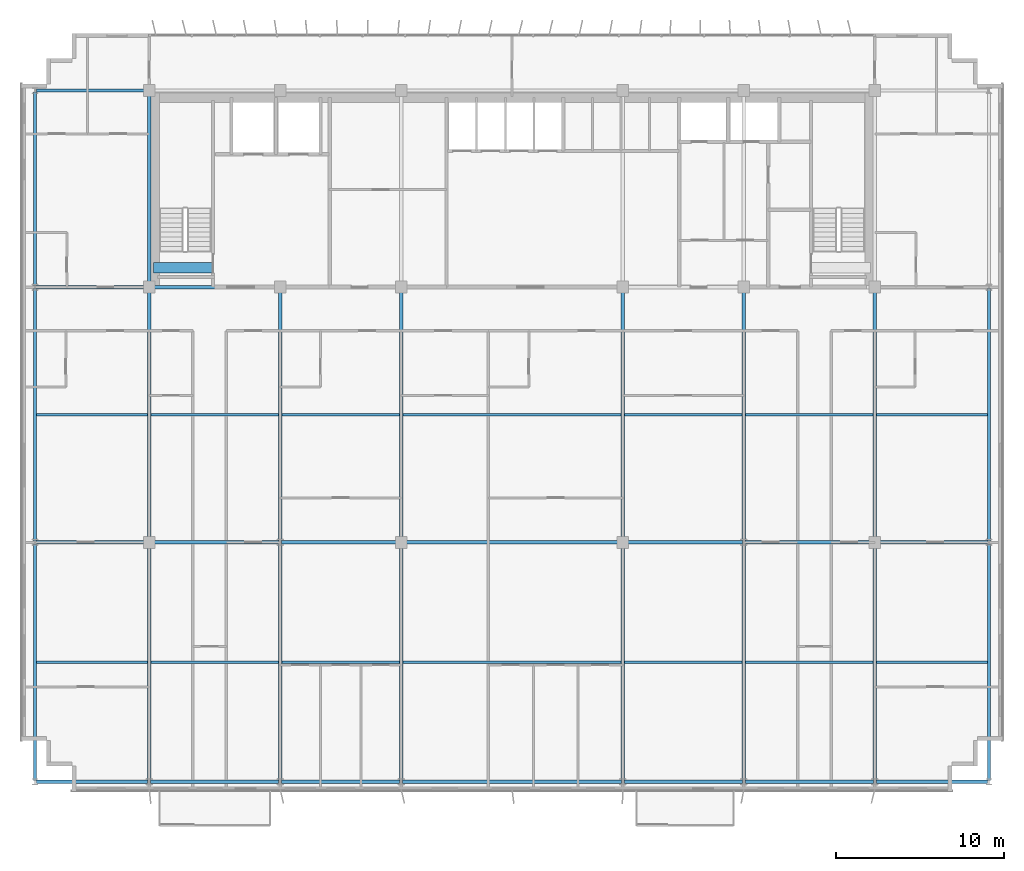
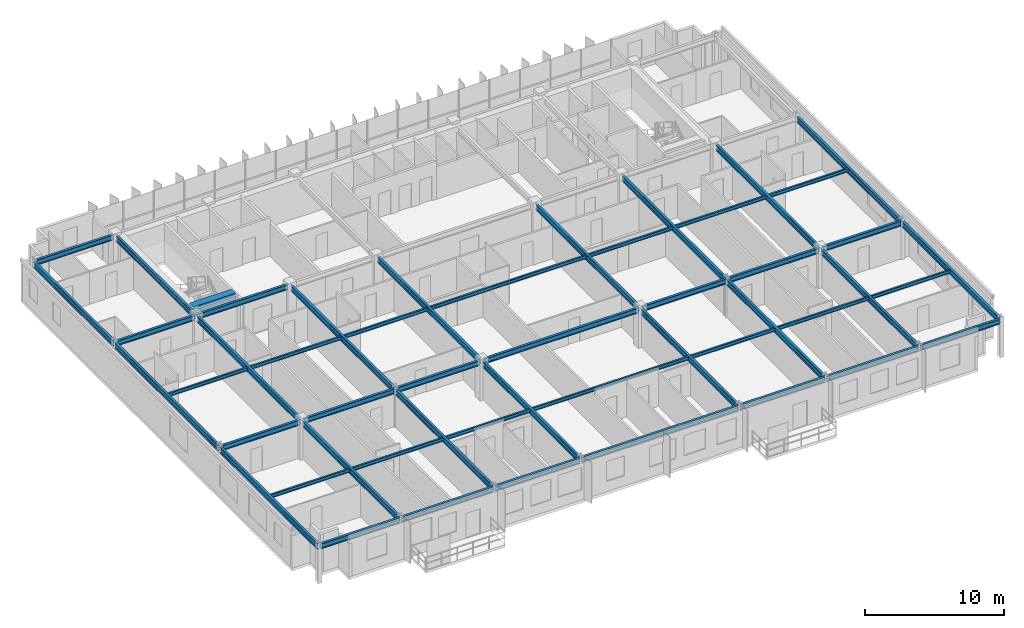
# One storey, part 5 of 23: 50 beams.
"""IFC4 building model written with IfcOpenShell, lengths in metres."""

from ifc_helpers import new_model, si_unit, direction, frame, origin, origin_2d, place, context, subcontext, project, spatial, rectangle, i_section, extrude, source, transform, mapped, material, material_profile, profile_set, type_object, element, save


model = new_model("IFC4")

# Units and contexts
model_context = context("Model", 3, precision=1e-05, world=origin(), true_north=direction((0.0, 1.0)))
body_context = subcontext(model_context, "Body", "Model", "MODEL_VIEW")
ifc_project = project(units=[si_unit("LENGTHUNIT", "METRE"), si_unit("AREAUNIT", "SQUARE_METRE"), si_unit("VOLUMEUNIT", "CUBIC_METRE"), si_unit("PLANEANGLEUNIT", "RADIAN"), si_unit("MASSUNIT", "GRAM", prefix="KILO")], contexts=[model_context])

# Site, building, storey
site_placement = place(None, origin())
site = spatial("IfcSite", under=ifc_project, at=site_placement, CompositionType="ELEMENT")
building_placement = place(site_placement, origin())
building = spatial("IfcBuilding", under=site, at=building_placement, Name="Trelvane Seafront Commons", CompositionType="ELEMENT")
storey_placement = place(building_placement, frame((0.0, 0.0, 208.5)))
storey = spatial("IfcBuildingStorey", under=building, at=storey_placement, Name="L54", CompositionType="ELEMENT", Elevation=208.5)

# Beams
ifc_material_1 = material(Name="Concrete C60/75", Category="concrete")
ifc_material_profile_1 = material_profile(ifc_material_1, rectangle(XDim=0.60009765625, YDim=0.89990234375, at=origin_2d()), Name="RC-600x900")
ifc_profile_set_1 = profile_set([ifc_material_profile_1], Name="Concrete C60/75")
beam_type_1 = type_object("IfcBeamType", Name="STR-LNT-RC600x900", PredefinedType="LINTEL", material=ifc_profile_set_1)
shared_shape_1 = source(origin(), body_context, "Body", "SweptSolid", [
    extrude(rectangle(XDim=0.60009765625, YDim=0.89990234375, at=origin_2d()), origin(), (0.0, 0.0, 1.0), 3.5498046875),
])
beam_1_placement = place(storey_placement, frame((15.85009765625, 34.550048828125, 2.909912109375), z_axis=(1.0, 0.0, 0.0), x_axis=(0.0, 1.0, 0.0)))
element("IfcBeam", 1, at=beam_1_placement, inside=storey, type_object=beam_type_1, Name="L54 Core Coupling Lintel Beam CB-67", PredefinedType="LINTEL", context=body_context, shape_type="MappedRepresentation", body=[
    mapped(shared_shape_1, transform((0.0, 0.0, 0.0), x_axis=(1.0, 0.0, 0.0), y_axis=(0.0, 1.0, 0.0), z_axis=(0.0, 0.0, 1.0), scale=1.0)),
])
ifc_material_2 = material(Name="Steel SM355 (S355)", Category="steel")
ifc_material_profile_2 = material_profile(ifc_material_2, i_section(OverallWidth=0.199951171875, OverallDepth=0.5, WebThickness=0.010009765625, FlangeThickness=0.01611328125, at=origin_2d()), Name="H-500x200x10x16")
ifc_profile_set_2 = profile_set([ifc_material_profile_2], Name="Steel SM355 (S355)")
beam_type_2 = type_object("IfcBeamType", Name="STR-BM-H500", PredefinedType="BEAM", material=ifc_profile_set_2)
shared_shape_2 = source(origin(), body_context, "Body", "SweptSolid", [
    extrude(i_section(OverallWidth=0.199951171875, OverallDepth=0.5, WebThickness=0.010009765625, FlangeThickness=0.01611328125, at=origin_2d()), origin(), (0.0, 0.0, 1.0), 14.89990234375),
])
for number, where, z_axis, x_axis, name in (
    (2, (15.60009765625, 18.35009765625, 3.110107421875), (0.0, 1.0, 0.0), (-1.0, 0.0, 0.0), "L54 Primary Girder G-33"),
    (3, (30.60009765625, 18.35009765625, 3.110107421875), (0.0, 1.0, 0.0), (-1.0, 0.0, 0.0), "L54 Primary Girder G-39"),
    (4, (43.800048828125, 18.35009765625, 3.110107421875), (0.0, 1.0, 0.0), (-1.0, 0.0, 0.0), "L54 Primary Girder G-42"),
    (5, (58.800048828125, 18.35009765625, 3.110107421875), (0.0, 1.0, 0.0), (-1.0, 0.0, 0.0), "L54 Primary Girder G-48"),
):
    element("IfcBeam", number, at=place(storey_placement, frame(where, z_axis=z_axis, x_axis=x_axis)), inside=storey, type_object=beam_type_2, Name=name, PredefinedType="BEAM", context=body_context, shape_type="MappedRepresentation", body=[
        mapped(shared_shape_2, transform((0.0, 0.0, 0.0), x_axis=(1.0, 0.0, 0.0), y_axis=(0.0, 1.0, 0.0), z_axis=(0.0, 0.0, 1.0), scale=1.0)),
    ])
shared_shape_3 = source(origin(), body_context, "Body", "SweptSolid", [
    extrude(i_section(OverallWidth=0.199951171875, OverallDepth=0.5, WebThickness=0.010009765625, FlangeThickness=0.01611328125, at=origin_2d()), origin(), (0.0, 0.0, 1.0), 11.39990234375),
])
beam_2_placement = place(storey_placement, frame((15.60009765625, 33.550048828125, 3.110107421875), z_axis=(0.0, 1.0, 0.0), x_axis=(-1.0, 0.0, 0.0)))
element("IfcBeam", 6, at=beam_2_placement, inside=storey, type_object=beam_type_2, Name="L54 Primary Girder G-34", PredefinedType="BEAM", context=body_context, shape_type="MappedRepresentation", body=[
    mapped(shared_shape_3, transform((0.0, 0.0, 0.0), x_axis=(1.0, 0.0, 0.0), y_axis=(0.0, 1.0, 0.0), z_axis=(0.0, 0.0, 1.0), scale=1.0)),
])
ifc_material_profile_3 = material_profile(ifc_material_2, i_section(OverallWidth=0.199951171875, OverallDepth=0.449951171875, WebThickness=0.009033203125, FlangeThickness=0.013916015625, at=origin_2d()), Name="H-450x200x9x14")
ifc_profile_set_3 = profile_set([ifc_material_profile_3], Name="Steel SM355 (S355)")
beam_type_3 = type_object("IfcBeamType", Name="STR-SPD-H450", PredefinedType="SPANDREL", material=ifc_profile_set_3)
shared_shape_4 = source(origin(), body_context, "Body", "SweptSolid", [
    extrude(i_section(OverallWidth=0.199951171875, OverallDepth=0.449951171875, WebThickness=0.009033203125, FlangeThickness=0.013916015625, at=origin_2d()), origin(), (0.0, 0.0, 1.0), 6.625),
])
for number, where, z_axis, x_axis, name in (
    (7, (8.887451171875, 3.949951171875, 3.135009765625), (1.0, 0.0, 0.0), (0.0, 1.0, 0.0), "L54 Primary Girder G-01"),
    (8, (58.887451171875, 3.949951171875, 3.135009765625), (1.0, 0.0, 0.0), (0.0, 1.0, 0.0), "L54 Primary Girder G-07"),
):
    element("IfcBeam", number, at=place(storey_placement, frame(where, z_axis=z_axis, x_axis=x_axis)), inside=storey, type_object=beam_type_3, Name=name, PredefinedType="SPANDREL", context=body_context, shape_type="MappedRepresentation", body=[
        mapped(shared_shape_4, transform((0.0, 0.0, 0.0), x_axis=(1.0, 0.0, 0.0), y_axis=(0.0, 1.0, 0.0), z_axis=(0.0, 0.0, 1.0), scale=1.0)),
    ])
shared_shape_5 = source(origin(), body_context, "Body", "SweptSolid", [
    extrude(i_section(OverallWidth=0.199951171875, OverallDepth=0.449951171875, WebThickness=0.009033203125, FlangeThickness=0.013916015625, at=origin_2d()), origin(), (0.0, 0.0, 1.0), 7.625),
])
for number, where, z_axis, x_axis, name in (
    (9, (15.6875, 3.949951171875, 3.135009765625), (1.0, 0.0, 0.0), (0.0, 1.0, 0.0), "L54 Primary Girder G-02"),
    (10, (51.08740234375, 3.949951171875, 3.135009765625), (1.0, 0.0, 0.0), (0.0, 1.0, 0.0), "L54 Primary Girder G-06"),
):
    element("IfcBeam", number, at=place(storey_placement, frame(where, z_axis=z_axis, x_axis=x_axis)), inside=storey, type_object=beam_type_3, Name=name, PredefinedType="SPANDREL", context=body_context, shape_type="MappedRepresentation", body=[
        mapped(shared_shape_5, transform((0.0, 0.0, 0.0), x_axis=(1.0, 0.0, 0.0), y_axis=(0.0, 1.0, 0.0), z_axis=(0.0, 0.0, 1.0), scale=1.0)),
    ])
shared_shape_6 = source(origin(), body_context, "Body", "SweptSolid", [
    extrude(i_section(OverallWidth=0.199951171875, OverallDepth=0.449951171875, WebThickness=0.009033203125, FlangeThickness=0.013916015625, at=origin_2d()), origin(), (0.0, 0.0, 1.0), 7.02490234375),
])
beam_3_placement = place(storey_placement, frame((23.487548828125, 3.949951171875, 3.135009765625), z_axis=(1.0, 0.0, 0.0), x_axis=(0.0, 1.0, 0.0)))
element("IfcBeam", 11, at=beam_3_placement, inside=storey, type_object=beam_type_3, Name="L54 Primary Girder G-03", PredefinedType="SPANDREL", context=body_context, shape_type="MappedRepresentation", body=[
    mapped(shared_shape_6, transform((0.0, 0.0, 0.0), x_axis=(1.0, 0.0, 0.0), y_axis=(0.0, 1.0, 0.0), z_axis=(0.0, 0.0, 1.0), scale=1.0)),
])
shared_shape_7 = source(origin(), body_context, "Body", "SweptSolid", [
    extrude(i_section(OverallWidth=0.199951171875, OverallDepth=0.449951171875, WebThickness=0.009033203125, FlangeThickness=0.013916015625, at=origin_2d()), origin(), (0.0, 0.0, 1.0), 7.025146484375),
])
beam_4_placement = place(storey_placement, frame((43.887451171875, 3.949951171875, 3.135009765625), z_axis=(1.0, 0.0, 0.0), x_axis=(0.0, 1.0, 0.0)))
element("IfcBeam", 12, at=beam_4_placement, inside=storey, type_object=beam_type_3, Name="L54 Primary Girder G-05", PredefinedType="SPANDREL", context=body_context, shape_type="MappedRepresentation", body=[
    mapped(shared_shape_7, transform((0.0, 0.0, 0.0), x_axis=(1.0, 0.0, 0.0), y_axis=(0.0, 1.0, 0.0), z_axis=(0.0, 0.0, 1.0), scale=1.0)),
])
shared_shape_8 = source(origin(), body_context, "Body", "SweptSolid", [
    extrude(i_section(OverallWidth=0.199951171875, OverallDepth=0.449951171875, WebThickness=0.009033203125, FlangeThickness=0.013916015625, at=origin_2d()), origin(), (0.0, 0.0, 1.0), 6.5625),
])
for number, where, z_axis, x_axis, name in (
    (13, (8.887451171875, 18.199951171875, 3.135009765625), (1.0, 0.0, 0.0), (0.0, 1.0, 0.0), "L54 Primary Girder G-08"),
    (14, (58.949951171875, 18.199951171875, 3.135009765625), (1.0, 0.0, 0.0), (0.0, 1.0, 0.0), "L54 Primary Girder G-14"),
    (15, (8.887451171875, 33.39990234375, 3.135009765625), (1.0, 0.0, 0.0), (0.0, 1.0, 0.0), "L54 Primary Girder G-15"),
    (16, (8.887451171875, 45.10009765625, 3.135009765625), (1.0, 0.0, 0.0), (0.0, 1.0, 0.0), "L54 Primary Girder G-22"),
):
    element("IfcBeam", number, at=place(storey_placement, frame(where, z_axis=z_axis, x_axis=x_axis)), inside=storey, type_object=beam_type_3, Name=name, PredefinedType="SPANDREL", context=body_context, shape_type="MappedRepresentation", body=[
        mapped(shared_shape_8, transform((0.0, 0.0, 0.0), x_axis=(1.0, 0.0, 0.0), y_axis=(0.0, 1.0, 0.0), z_axis=(0.0, 0.0, 1.0), scale=1.0)),
    ])
shared_shape_9 = source(origin(), body_context, "Body", "SweptSolid", [
    extrude(i_section(OverallWidth=0.199951171875, OverallDepth=0.449951171875, WebThickness=0.009033203125, FlangeThickness=0.013916015625, at=origin_2d()), origin(), (0.0, 0.0, 1.0), 7.5625),
])
for number, where, z_axis, x_axis, name in (
    (17, (15.75, 18.199951171875, 3.135009765625), (1.0, 0.0, 0.0), (0.0, 1.0, 0.0), "L54 Primary Girder G-09"),
    (18, (51.08740234375, 18.199951171875, 3.135009765625), (1.0, 0.0, 0.0), (0.0, 1.0, 0.0), "L54 Primary Girder G-13"),
):
    element("IfcBeam", number, at=place(storey_placement, frame(where, z_axis=z_axis, x_axis=x_axis)), inside=storey, type_object=beam_type_3, Name=name, PredefinedType="SPANDREL", context=body_context, shape_type="MappedRepresentation", body=[
        mapped(shared_shape_9, transform((0.0, 0.0, 0.0), x_axis=(1.0, 0.0, 0.0), y_axis=(0.0, 1.0, 0.0), z_axis=(0.0, 0.0, 1.0), scale=1.0)),
    ])
shared_shape_10 = source(origin(), body_context, "Body", "SweptSolid", [
    extrude(i_section(OverallWidth=0.199951171875, OverallDepth=0.449951171875, WebThickness=0.009033203125, FlangeThickness=0.013916015625, at=origin_2d()), origin(), (0.0, 0.0, 1.0), 6.96240234375),
])
beam_5_placement = place(storey_placement, frame((23.487548828125, 18.199951171875, 3.135009765625), z_axis=(1.0, 0.0, 0.0), x_axis=(0.0, 1.0, 0.0)))
element("IfcBeam", 19, at=beam_5_placement, inside=storey, type_object=beam_type_3, Name="L54 Primary Girder G-10", PredefinedType="SPANDREL", context=body_context, shape_type="MappedRepresentation", body=[
    mapped(shared_shape_10, transform((0.0, 0.0, 0.0), x_axis=(1.0, 0.0, 0.0), y_axis=(0.0, 1.0, 0.0), z_axis=(0.0, 0.0, 1.0), scale=1.0)),
])
shared_shape_11 = source(origin(), body_context, "Body", "SweptSolid", [
    extrude(i_section(OverallWidth=0.199951171875, OverallDepth=0.449951171875, WebThickness=0.009033203125, FlangeThickness=0.013916015625, at=origin_2d()), origin(), (0.0, 0.0, 1.0), 6.962646484375),
])
beam_6_placement = place(storey_placement, frame((43.949951171875, 18.199951171875, 3.135009765625), z_axis=(1.0, 0.0, 0.0), x_axis=(0.0, 1.0, 0.0)))
element("IfcBeam", 20, at=beam_6_placement, inside=storey, type_object=beam_type_3, Name="L54 Primary Girder G-12", PredefinedType="SPANDREL", context=body_context, shape_type="MappedRepresentation", body=[
    mapped(shared_shape_11, transform((0.0, 0.0, 0.0), x_axis=(1.0, 0.0, 0.0), y_axis=(0.0, 1.0, 0.0), z_axis=(0.0, 0.0, 1.0), scale=1.0)),
])
shared_shape_12 = source(origin(), body_context, "Body", "SweptSolid", [
    extrude(i_section(OverallWidth=0.199951171875, OverallDepth=0.449951171875, WebThickness=0.009033203125, FlangeThickness=0.013916015625, at=origin_2d()), origin(), (0.0, 0.0, 1.0), 7.5),
])
beam_7_placement = place(storey_placement, frame((15.75, 33.39990234375, 3.135009765625), z_axis=(1.0, 0.0, 0.0), x_axis=(0.0, 1.0, 0.0)))
element("IfcBeam", 21, at=beam_7_placement, inside=storey, type_object=beam_type_3, Name="L54 Primary Girder G-16", PredefinedType="SPANDREL", context=body_context, shape_type="MappedRepresentation", body=[
    mapped(shared_shape_12, transform((0.0, 0.0, 0.0), x_axis=(1.0, 0.0, 0.0), y_axis=(0.0, 1.0, 0.0), z_axis=(0.0, 0.0, 1.0), scale=1.0)),
])
shared_shape_13 = source(origin(), body_context, "Body", "SweptSolid", [
    extrude(i_section(OverallWidth=0.199951171875, OverallDepth=0.449951171875, WebThickness=0.009033203125, FlangeThickness=0.013916015625, at=origin_2d()), origin(), (0.0, 0.0, 1.0), 12.89990234375),
])
beam_8_placement = place(storey_placement, frame((30.75, 18.199951171875, 3.135009765625), z_axis=(1.0, 0.0, 0.0), x_axis=(0.0, 1.0, 0.0)))
element("IfcBeam", 22, at=beam_8_placement, inside=storey, type_object=beam_type_3, Name="L54 Primary Girder G-11", PredefinedType="SPANDREL", context=body_context, shape_type="MappedRepresentation", body=[
    mapped(shared_shape_13, transform((0.0, 0.0, 0.0), x_axis=(1.0, 0.0, 0.0), y_axis=(0.0, 1.0, 0.0), z_axis=(0.0, 0.0, 1.0), scale=1.0)),
])
shared_shape_14 = source(origin(), body_context, "Body", "SweptSolid", [
    extrude(i_section(OverallWidth=0.199951171875, OverallDepth=0.5, WebThickness=0.010009765625, FlangeThickness=0.01611328125, at=origin_2d()), origin(), (0.0, 0.0, 1.0), 14.074951171875),
])
for number, where, z_axis, x_axis, name in (
    (23, (8.800048828125, 4.03759765625, 3.110107421875), (0.0, 1.0, 0.0), (-1.0, 0.0, 0.0), "L54 Primary Girder G-29"),
    (24, (23.39990234375, 4.03759765625, 3.110107421875), (0.0, 1.0, 0.0), (-1.0, 0.0, 0.0), "L54 Primary Girder G-35"),
    (25, (51.0, 4.03759765625, 3.110107421875), (0.0, 1.0, 0.0), (-1.0, 0.0, 0.0), "L54 Primary Girder G-44"),
    (26, (65.60009765625, 4.03759765625, 3.110107421875), (0.0, 1.0, 0.0), (-1.0, 0.0, 0.0), "L54 Primary Girder G-50"),
):
    element("IfcBeam", number, at=place(storey_placement, frame(where, z_axis=z_axis, x_axis=x_axis)), inside=storey, type_object=beam_type_2, Name=name, PredefinedType="BEAM", context=body_context, shape_type="MappedRepresentation", body=[
        mapped(shared_shape_14, transform((0.0, 0.0, 0.0), x_axis=(1.0, 0.0, 0.0), y_axis=(0.0, 1.0, 0.0), z_axis=(0.0, 0.0, 1.0), scale=1.0)),
    ])
shared_shape_15 = source(origin(), body_context, "Body", "SweptSolid", [
    extrude(i_section(OverallWidth=0.199951171875, OverallDepth=0.5, WebThickness=0.010009765625, FlangeThickness=0.01611328125, at=origin_2d()), origin(), (0.0, 0.0, 1.0), 15.02490234375),
])
for number, where, z_axis, x_axis, name in (
    (27, (8.800048828125, 18.28759765625, 3.110107421875), (0.0, 1.0, 0.0), (-1.0, 0.0, 0.0), "L54 Primary Girder G-30"),
    (28, (65.60009765625, 18.28759765625, 3.110107421875), (0.0, 1.0, 0.0), (-1.0, 0.0, 0.0), "L54 Primary Girder G-51"),
):
    element("IfcBeam", number, at=place(storey_placement, frame(where, z_axis=z_axis, x_axis=x_axis)), inside=storey, type_object=beam_type_2, Name=name, PredefinedType="BEAM", context=body_context, shape_type="MappedRepresentation", body=[
        mapped(shared_shape_15, transform((0.0, 0.0, 0.0), x_axis=(1.0, 0.0, 0.0), y_axis=(0.0, 1.0, 0.0), z_axis=(0.0, 0.0, 1.0), scale=1.0)),
    ])
shared_shape_16 = source(origin(), body_context, "Body", "SweptSolid", [
    extrude(i_section(OverallWidth=0.199951171875, OverallDepth=0.5, WebThickness=0.010009765625, FlangeThickness=0.01611328125, at=origin_2d()), origin(), (0.0, 0.0, 1.0), 11.52490234375),
])
beam_9_placement = place(storey_placement, frame((8.800048828125, 33.487548828125, 3.110107421875), z_axis=(0.0, 1.0, 0.0), x_axis=(-1.0, 0.0, 0.0)))
element("IfcBeam", 29, at=beam_9_placement, inside=storey, type_object=beam_type_2, Name="L54 Primary Girder G-31", PredefinedType="BEAM", context=body_context, shape_type="MappedRepresentation", body=[
    mapped(shared_shape_16, transform((0.0, 0.0, 0.0), x_axis=(1.0, 0.0, 0.0), y_axis=(0.0, 1.0, 0.0), z_axis=(0.0, 0.0, 1.0), scale=1.0)),
])
shared_shape_17 = source(origin(), body_context, "Body", "SweptSolid", [
    extrude(i_section(OverallWidth=0.199951171875, OverallDepth=0.5, WebThickness=0.010009765625, FlangeThickness=0.01611328125, at=origin_2d()), origin(), (0.0, 0.0, 1.0), 14.012451171875),
])
for number, where, z_axis, x_axis, name in (
    (30, (15.60009765625, 4.03759765625, 3.110107421875), (0.0, 1.0, 0.0), (-1.0, 0.0, 0.0), "L54 Primary Girder G-32"),
    (31, (30.60009765625, 4.03759765625, 3.110107421875), (0.0, 1.0, 0.0), (-1.0, 0.0, 0.0), "L54 Primary Girder G-38"),
    (32, (43.800048828125, 4.03759765625, 3.110107421875), (0.0, 1.0, 0.0), (-1.0, 0.0, 0.0), "L54 Primary Girder G-41"),
    (33, (58.800048828125, 4.03759765625, 3.110107421875), (0.0, 1.0, 0.0), (-1.0, 0.0, 0.0), "L54 Primary Girder G-47"),
):
    element("IfcBeam", number, at=place(storey_placement, frame(where, z_axis=z_axis, x_axis=x_axis)), inside=storey, type_object=beam_type_2, Name=name, PredefinedType="BEAM", context=body_context, shape_type="MappedRepresentation", body=[
        mapped(shared_shape_17, transform((0.0, 0.0, 0.0), x_axis=(1.0, 0.0, 0.0), y_axis=(0.0, 1.0, 0.0), z_axis=(0.0, 0.0, 1.0), scale=1.0)),
    ])
shared_shape_18 = source(origin(), body_context, "Body", "SweptSolid", [
    extrude(i_section(OverallWidth=0.199951171875, OverallDepth=0.5, WebThickness=0.010009765625, FlangeThickness=0.01611328125, at=origin_2d()), origin(), (0.0, 0.0, 1.0), 14.96240234375),
])
for number, where, z_axis, x_axis, name in (
    (34, (23.39990234375, 18.28759765625, 3.110107421875), (0.0, 1.0, 0.0), (-1.0, 0.0, 0.0), "L54 Primary Girder G-36"),
    (35, (51.0, 18.28759765625, 3.110107421875), (0.0, 1.0, 0.0), (-1.0, 0.0, 0.0), "L54 Primary Girder G-45"),
):
    element("IfcBeam", number, at=place(storey_placement, frame(where, z_axis=z_axis, x_axis=x_axis)), inside=storey, type_object=beam_type_2, Name=name, PredefinedType="BEAM", context=body_context, shape_type="MappedRepresentation", body=[
        mapped(shared_shape_18, transform((0.0, 0.0, 0.0), x_axis=(1.0, 0.0, 0.0), y_axis=(0.0, 1.0, 0.0), z_axis=(0.0, 0.0, 1.0), scale=1.0)),
    ])
ifc_material_profile_4 = material_profile(ifc_material_2, i_section(OverallWidth=0.14990234375, OverallDepth=0.300048828125, WebThickness=0.006591796875, FlangeThickness=0.009033203125, at=origin_2d()), Name="H-300x150x6.5x9")
ifc_profile_set_4 = profile_set([ifc_material_profile_4], Name="Steel SM355 (S355)")
beam_type_4 = type_object("IfcBeamType", Name="STR-JST-H300", PredefinedType="JOIST", material=ifc_profile_set_4)
shared_shape_19 = source(origin(), body_context, "Body", "SweptSolid", [
    extrude(i_section(OverallWidth=0.14990234375, OverallDepth=0.300048828125, WebThickness=0.006591796875, FlangeThickness=0.009033203125, at=origin_2d()), origin(), (0.0, 0.0, 1.0), 6.60009765625),
])
for number, where, z_axis, x_axis, name in (
    (36, (8.89990234375, 11.074951171875, 3.2099609375), (1.0, 0.0, 0.0), (0.0, 1.0, 0.0), "L54 Secondary Floor Joist B-53"),
    (37, (58.89990234375, 11.074951171875, 3.2099609375), (1.0, 0.0, 0.0), (0.0, 1.0, 0.0), "L54 Secondary Floor Joist B-59"),
    (38, (8.89990234375, 25.800048828125, 3.2099609375), (1.0, 0.0, 0.0), (0.0, 1.0, 0.0), "L54 Secondary Floor Joist B-60"),
    (39, (58.89990234375, 25.800048828125, 3.2099609375), (1.0, 0.0, 0.0), (0.0, 1.0, 0.0), "L54 Secondary Floor Joist B-66"),
):
    element("IfcBeam", number, at=place(storey_placement, frame(where, z_axis=z_axis, x_axis=x_axis)), inside=storey, type_object=beam_type_4, Name=name, PredefinedType="JOIST", context=body_context, shape_type="MappedRepresentation", body=[
        mapped(shared_shape_19, transform((0.0, 0.0, 0.0), x_axis=(1.0, 0.0, 0.0), y_axis=(0.0, 1.0, 0.0), z_axis=(0.0, 0.0, 1.0), scale=1.0)),
    ])
shared_shape_20 = source(origin(), body_context, "Body", "SweptSolid", [
    extrude(i_section(OverallWidth=0.14990234375, OverallDepth=0.300048828125, WebThickness=0.006591796875, FlangeThickness=0.009033203125, at=origin_2d()), origin(), (0.0, 0.0, 1.0), 7.60009765625),
])
for number, where, z_axis, x_axis, name in (
    (40, (15.699951171875, 11.074951171875, 3.2099609375), (1.0, 0.0, 0.0), (0.0, 1.0, 0.0), "L54 Secondary Floor Joist B-54"),
    (41, (15.699951171875, 25.800048828125, 3.2099609375), (1.0, 0.0, 0.0), (0.0, 1.0, 0.0), "L54 Secondary Floor Joist B-61"),
):
    element("IfcBeam", number, at=place(storey_placement, frame(where, z_axis=z_axis, x_axis=x_axis)), inside=storey, type_object=beam_type_4, Name=name, PredefinedType="JOIST", context=body_context, shape_type="MappedRepresentation", body=[
        mapped(shared_shape_20, transform((0.0, 0.0, 0.0), x_axis=(1.0, 0.0, 0.0), y_axis=(0.0, 1.0, 0.0), z_axis=(0.0, 0.0, 1.0), scale=1.0)),
    ])
shared_shape_21 = source(origin(), body_context, "Body", "SweptSolid", [
    extrude(i_section(OverallWidth=0.14990234375, OverallDepth=0.300048828125, WebThickness=0.006591796875, FlangeThickness=0.009033203125, at=origin_2d()), origin(), (0.0, 0.0, 1.0), 7.0),
])
for number, where, z_axis, x_axis, name in (
    (42, (23.5, 11.074951171875, 3.2099609375), (1.0, 0.0, 0.0), (0.0, 1.0, 0.0), "L54 Secondary Floor Joist B-55"),
    (43, (43.89990234375, 11.074951171875, 3.2099609375), (1.0, 0.0, 0.0), (0.0, 1.0, 0.0), "L54 Secondary Floor Joist B-57"),
    (44, (23.5, 25.800048828125, 3.2099609375), (1.0, 0.0, 0.0), (0.0, 1.0, 0.0), "L54 Secondary Floor Joist B-62"),
    (45, (43.89990234375, 25.800048828125, 3.2099609375), (1.0, 0.0, 0.0), (0.0, 1.0, 0.0), "L54 Secondary Floor Joist B-64"),
):
    element("IfcBeam", number, at=place(storey_placement, frame(where, z_axis=z_axis, x_axis=x_axis)), inside=storey, type_object=beam_type_4, Name=name, PredefinedType="JOIST", context=body_context, shape_type="MappedRepresentation", body=[
        mapped(shared_shape_21, transform((0.0, 0.0, 0.0), x_axis=(1.0, 0.0, 0.0), y_axis=(0.0, 1.0, 0.0), z_axis=(0.0, 0.0, 1.0), scale=1.0)),
    ])
shared_shape_22 = source(origin(), body_context, "Body", "SweptSolid", [
    extrude(i_section(OverallWidth=0.14990234375, OverallDepth=0.300048828125, WebThickness=0.006591796875, FlangeThickness=0.009033203125, at=origin_2d()), origin(), (0.0, 0.0, 1.0), 7.599853515625),
])
for number, where, z_axis, x_axis, name in (
    (46, (51.10009765625, 11.074951171875, 3.2099609375), (1.0, 0.0, 0.0), (0.0, 1.0, 0.0), "L54 Secondary Floor Joist B-58"),
    (47, (51.10009765625, 25.800048828125, 3.2099609375), (1.0, 0.0, 0.0), (0.0, 1.0, 0.0), "L54 Secondary Floor Joist B-65"),
):
    element("IfcBeam", number, at=place(storey_placement, frame(where, z_axis=z_axis, x_axis=x_axis)), inside=storey, type_object=beam_type_4, Name=name, PredefinedType="JOIST", context=body_context, shape_type="MappedRepresentation", body=[
        mapped(shared_shape_22, transform((0.0, 0.0, 0.0), x_axis=(1.0, 0.0, 0.0), y_axis=(0.0, 1.0, 0.0), z_axis=(0.0, 0.0, 1.0), scale=1.0)),
    ])
shared_shape_23 = source(origin(), body_context, "Body", "SweptSolid", [
    extrude(i_section(OverallWidth=0.14990234375, OverallDepth=0.300048828125, WebThickness=0.006591796875, FlangeThickness=0.009033203125, at=origin_2d()), origin(), (0.0, 0.0, 1.0), 13.0),
])
for number, where, z_axis, x_axis, name in (
    (48, (30.699951171875, 11.074951171875, 3.2099609375), (1.0, 0.0, 0.0), (0.0, 1.0, 0.0), "L54 Secondary Floor Joist B-56"),
    (49, (30.699951171875, 25.800048828125, 3.2099609375), (1.0, 0.0, 0.0), (0.0, 1.0, 0.0), "L54 Secondary Floor Joist B-63"),
):
    element("IfcBeam", number, at=place(storey_placement, frame(where, z_axis=z_axis, x_axis=x_axis)), inside=storey, type_object=beam_type_4, Name=name, PredefinedType="JOIST", context=body_context, shape_type="MappedRepresentation", body=[
        mapped(shared_shape_23, transform((0.0, 0.0, 0.0), x_axis=(1.0, 0.0, 0.0), y_axis=(0.0, 1.0, 0.0), z_axis=(0.0, 0.0, 1.0), scale=1.0)),
    ])
shared_shape_24 = source(origin(), body_context, "Body", "SweptSolid", [
    extrude(i_section(OverallWidth=0.199951171875, OverallDepth=0.449951171875, WebThickness=0.009033203125, FlangeThickness=0.013916015625, at=origin_2d()), origin(), (0.0, 0.0, 1.0), 13.02490234375),
])
beam_10_placement = place(storey_placement, frame((30.6875, 3.949951171875, 3.135009765625), z_axis=(1.0, 0.0, 0.0), x_axis=(0.0, 1.0, 0.0)))
element("IfcBeam", 50, at=beam_10_placement, inside=storey, type_object=beam_type_3, Name="L54 Primary Girder G-04", PredefinedType="SPANDREL", context=body_context, shape_type="MappedRepresentation", body=[
    mapped(shared_shape_24, transform((0.0, 0.0, 0.0), x_axis=(1.0, 0.0, 0.0), y_axis=(0.0, 1.0, 0.0), z_axis=(0.0, 0.0, 1.0), scale=1.0)),
])

save(model, "model.ifc")
